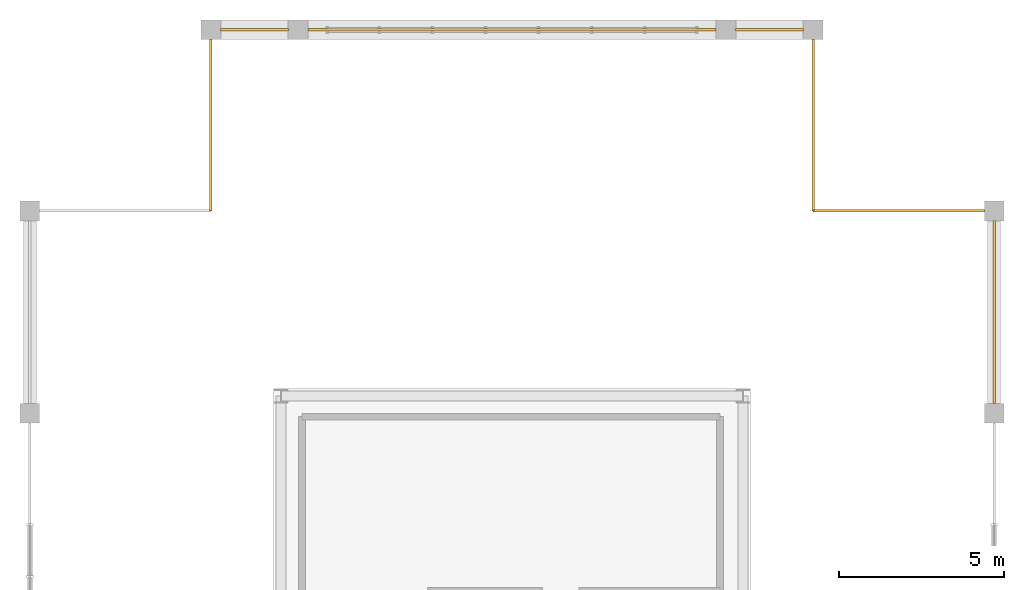
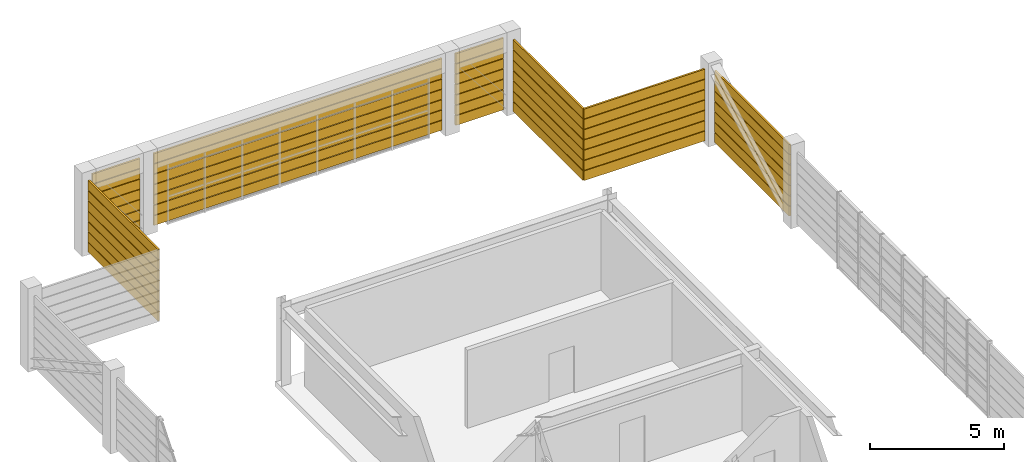
# One storey, part 21 of 21: 49 shading devices.
"""IFC4 building model written with IfcOpenShell, lengths in metres."""

from ifc_helpers import new_model, si_unit, direction, frame, origin, origin_2d, place, context, subcontext, project, spatial, rectangle, extrude, source, transform, mapped, material, material_profile, profile_set, type_object, element, save


model = new_model("IFC4")

# Units and contexts
model_context = context("Model", 3, precision=1e-05, world=origin(), true_north=direction((0.0, 1.0)))
body_context = subcontext(model_context, "Body", "Model", "MODEL_VIEW")
ifc_project = project(units=[si_unit("LENGTHUNIT", "METRE"), si_unit("AREAUNIT", "SQUARE_METRE"), si_unit("VOLUMEUNIT", "CUBIC_METRE"), si_unit("PLANEANGLEUNIT", "RADIAN"), si_unit("MASSUNIT", "GRAM", prefix="KILO")], contexts=[model_context])

# Site, building, storey
site_placement = place(None, origin())
site = spatial("IfcSite", under=ifc_project, at=site_placement, CompositionType="ELEMENT")
building_placement = place(site_placement, origin())
building = spatial("IfcBuilding", under=site, at=building_placement, Name="Saelheon Loggia Tower", CompositionType="ELEMENT")
storey_placement = place(building_placement, frame((0.0, 0.0, 267.39990234375)))
storey = spatial("IfcBuildingStorey", under=building, at=storey_placement, Name="CR5", CompositionType="ELEMENT", Elevation=267.39990234375)

# Shading devices
ifc_material = material(Name="Bronze-Anodised Aluminium 6063-T6", Category="aluminium")
ifc_material_profile = material_profile(ifc_material, rectangle(XDim=0.080078125, YDim=0.43994140625, at=origin_2d()), Name="Louvre_CrownBlade_250")
ifc_profile_set = profile_set([ifc_material_profile], Name="Bronze-Anodised Aluminium 6063-T6")
shading_device_type = type_object("IfcShadingDeviceType", Name="Louvre_CrownBlade_250", PredefinedType="AWNING", material=ifc_profile_set)
shared_shape_1 = source(origin(), body_context, "Body", "SweptSolid", [
    extrude(rectangle(XDim=0.080078125, YDim=0.43994140625, at=origin_2d()), origin(), (0.0, 0.0, 1.0), 2.06005859375),
])
for number, where, z_axis, x_axis, name in (
    (1, (46.85498046875, 47.64990234375, 0.35009765625), (-1.0, 0.0, 0.0), (0.0, -1.0, 0.0), "CR5 Crown Screen Horizontal Blade"),
    (2, (46.85498046875, 47.64990234375, 0.820068359375), (-1.0, 0.0, 0.0), (0.0, -1.0, 0.0), "CR5 Crown Screen Horizontal Blade"),
    (3, (46.85498046875, 47.64990234375, 1.2900390625), (-1.0, 0.0, 0.0), (0.0, -1.0, 0.0), "CR5 Crown Screen Horizontal Blade"),
    (4, (46.85498046875, 47.64990234375, 1.760009765625), (-1.0, 0.0, 0.0), (0.0, -1.0, 0.0), "CR5 Crown Screen Horizontal Blade"),
    (5, (46.85498046875, 47.64990234375, 2.22998046875), (-1.0, 0.0, 0.0), (0.0, -1.0, 0.0), "CR5 Crown Screen Horizontal Blade"),
    (6, (46.85498046875, 47.64990234375, 2.7001953125), (-1.0, 0.0, 0.0), (0.0, -1.0, 0.0), "CR5 Crown Screen Horizontal Blade"),
    (7, (46.85498046875, 47.64990234375, 3.170166015625), (-1.0, 0.0, 0.0), (0.0, -1.0, 0.0), "CR5 Crown Screen Horizontal Blade"),
    (8, (31.205078125, 47.64990234375, 0.35009765625), (-1.0, 0.0, 0.0), (0.0, -1.0, 0.0), "CR5 Crown Screen Horizontal Blade"),
    (9, (31.205078125, 47.64990234375, 0.820068359375), (-1.0, 0.0, 0.0), (0.0, -1.0, 0.0), "CR5 Crown Screen Horizontal Blade"),
    (10, (31.205078125, 47.64990234375, 1.2900390625), (-1.0, 0.0, 0.0), (0.0, -1.0, 0.0), "CR5 Crown Screen Horizontal Blade"),
    (11, (31.205078125, 47.64990234375, 1.760009765625), (-1.0, 0.0, 0.0), (0.0, -1.0, 0.0), "CR5 Crown Screen Horizontal Blade"),
    (12, (31.205078125, 47.64990234375, 2.22998046875), (-1.0, 0.0, 0.0), (0.0, -1.0, 0.0), "CR5 Crown Screen Horizontal Blade"),
    (13, (31.205078125, 47.64990234375, 2.7001953125), (-1.0, 0.0, 0.0), (0.0, -1.0, 0.0), "CR5 Crown Screen Horizontal Blade"),
    (14, (31.205078125, 47.64990234375, 3.170166015625), (-1.0, 0.0, 0.0), (0.0, -1.0, 0.0), "CR5 Crown Screen Horizontal Blade"),
):
    element("IfcShadingDevice", number, at=place(storey_placement, frame(where, z_axis=z_axis, x_axis=x_axis)), inside=storey, type_object=shading_device_type, Name=name, PredefinedType="AWNING", context=body_context, shape_type="MappedRepresentation", body=[
        mapped(shared_shape_1, transform((0.0, 0.0, 0.0), scale=1.0)),
    ])
shared_shape_2 = source(origin(), body_context, "Body", "SweptSolid", [
    extrude(rectangle(XDim=0.080078125, YDim=0.43994140625, at=origin_2d()), origin(), (0.0, 0.0, 1.0), 12.41015625),
])
for number, where, z_axis, x_axis, name in (
    (15, (44.205078125, 47.64990234375, 0.35009765625), (-1.0, 0.0, 0.0), (0.0, -1.0, 0.0), "CR5 Crown Screen Horizontal Blade"),
    (16, (44.205078125, 47.64990234375, 0.820068359375), (-1.0, 0.0, 0.0), (0.0, -1.0, 0.0), "CR5 Crown Screen Horizontal Blade"),
    (17, (44.205078125, 47.64990234375, 1.2900390625), (-1.0, 0.0, 0.0), (0.0, -1.0, 0.0), "CR5 Crown Screen Horizontal Blade"),
    (18, (44.205078125, 47.64990234375, 1.760009765625), (-1.0, 0.0, 0.0), (0.0, -1.0, 0.0), "CR5 Crown Screen Horizontal Blade"),
    (19, (44.205078125, 47.64990234375, 2.22998046875), (-1.0, 0.0, 0.0), (0.0, -1.0, 0.0), "CR5 Crown Screen Horizontal Blade"),
    (20, (44.205078125, 47.64990234375, 2.7001953125), (-1.0, 0.0, 0.0), (0.0, -1.0, 0.0), "CR5 Crown Screen Horizontal Blade"),
    (21, (44.205078125, 47.64990234375, 3.170166015625), (-1.0, 0.0, 0.0), (0.0, -1.0, 0.0), "CR5 Crown Screen Horizontal Blade"),
):
    element("IfcShadingDevice", number, at=place(storey_placement, frame(where, z_axis=z_axis, x_axis=x_axis)), inside=storey, type_object=shading_device_type, Name=name, PredefinedType="AWNING", context=body_context, shape_type="MappedRepresentation", body=[
        mapped(shared_shape_2, transform((0.0, 0.0, 0.0), scale=1.0)),
    ])
shared_shape_3 = source(origin(), body_context, "Body", "SweptSolid", [
    extrude(rectangle(XDim=0.080078125, YDim=0.43994140625, at=origin_2d()), origin(), (0.0, 0.0, 1.0), 5.205078125),
])
for number, where, z_axis, x_axis, name in (
    (22, (52.35498046875, 42.14990234375, 0.35009765625), (-1.0, 0.0, 0.0), (0.0, -1.0, 0.0), "CR5 Crown Screen Horizontal Blade"),
    (23, (52.35498046875, 42.14990234375, 0.820068359375), (-1.0, 0.0, 0.0), (0.0, -1.0, 0.0), "CR5 Crown Screen Horizontal Blade"),
    (24, (52.35498046875, 42.14990234375, 1.2900390625), (-1.0, 0.0, 0.0), (0.0, -1.0, 0.0), "CR5 Crown Screen Horizontal Blade"),
    (25, (52.35498046875, 42.14990234375, 1.760009765625), (-1.0, 0.0, 0.0), (0.0, -1.0, 0.0), "CR5 Crown Screen Horizontal Blade"),
    (26, (52.35498046875, 42.14990234375, 2.22998046875), (-1.0, 0.0, 0.0), (0.0, -1.0, 0.0), "CR5 Crown Screen Horizontal Blade"),
    (27, (52.35498046875, 42.14990234375, 2.7001953125), (-1.0, 0.0, 0.0), (0.0, -1.0, 0.0), "CR5 Crown Screen Horizontal Blade"),
    (28, (52.35498046875, 42.14990234375, 3.170166015625), (-1.0, 0.0, 0.0), (0.0, -1.0, 0.0), "CR5 Crown Screen Horizontal Blade"),
    (29, (47.14990234375, 42.14990234375, 0.35009765625), (0.0, 1.0, 0.0), (-1.0, 0.0, 0.0), "CR5 Crown Screen Horizontal Blade"),
    (30, (47.14990234375, 42.14990234375, 0.820068359375), (0.0, 1.0, 0.0), (-1.0, 0.0, 0.0), "CR5 Crown Screen Horizontal Blade"),
    (31, (47.14990234375, 42.14990234375, 1.2900390625), (0.0, 1.0, 0.0), (-1.0, 0.0, 0.0), "CR5 Crown Screen Horizontal Blade"),
    (32, (47.14990234375, 42.14990234375, 1.760009765625), (0.0, 1.0, 0.0), (-1.0, 0.0, 0.0), "CR5 Crown Screen Horizontal Blade"),
    (33, (47.14990234375, 42.14990234375, 2.22998046875), (0.0, 1.0, 0.0), (-1.0, 0.0, 0.0), "CR5 Crown Screen Horizontal Blade"),
    (34, (47.14990234375, 42.14990234375, 2.7001953125), (0.0, 1.0, 0.0), (-1.0, 0.0, 0.0), "CR5 Crown Screen Horizontal Blade"),
    (35, (47.14990234375, 42.14990234375, 3.170166015625), (0.0, 1.0, 0.0), (-1.0, 0.0, 0.0), "CR5 Crown Screen Horizontal Blade"),
    (36, (28.85009765625, 47.35498046875, 0.35009765625), (0.0, -1.0, 0.0), (1.0, 0.0, 0.0), "CR5 Crown Screen Horizontal Blade"),
    (37, (28.85009765625, 47.35498046875, 0.820068359375), (0.0, -1.0, 0.0), (1.0, 0.0, 0.0), "CR5 Crown Screen Horizontal Blade"),
    (38, (28.85009765625, 47.35498046875, 1.2900390625), (0.0, -1.0, 0.0), (1.0, 0.0, 0.0), "CR5 Crown Screen Horizontal Blade"),
    (39, (28.85009765625, 47.35498046875, 1.760009765625), (0.0, -1.0, 0.0), (1.0, 0.0, 0.0), "CR5 Crown Screen Horizontal Blade"),
    (40, (28.85009765625, 47.35498046875, 2.22998046875), (0.0, -1.0, 0.0), (1.0, 0.0, 0.0), "CR5 Crown Screen Horizontal Blade"),
    (41, (28.85009765625, 47.35498046875, 2.7001953125), (0.0, -1.0, 0.0), (1.0, 0.0, 0.0), "CR5 Crown Screen Horizontal Blade"),
    (42, (28.85009765625, 47.35498046875, 3.170166015625), (0.0, -1.0, 0.0), (1.0, 0.0, 0.0), "CR5 Crown Screen Horizontal Blade"),
):
    element("IfcShadingDevice", number, at=place(storey_placement, frame(where, z_axis=z_axis, x_axis=x_axis)), inside=storey, type_object=shading_device_type, Name=name, PredefinedType="AWNING", context=body_context, shape_type="MappedRepresentation", body=[
        mapped(shared_shape_3, transform((0.0, 0.0, 0.0), scale=1.0)),
    ])
shared_shape_4 = source(origin(), body_context, "Body", "SweptSolid", [
    extrude(rectangle(XDim=0.080078125, YDim=0.43994140625, at=origin_2d()), origin(), (0.0, 0.0, 1.0), 5.56005859375),
])
for number, where, z_axis, x_axis, name in (
    (43, (52.64990234375, 36.294921875, 0.35009765625), (0.0, 1.0, 0.0), (-1.0, 0.0, 0.0), "CR5 Crown Screen Horizontal Blade"),
    (44, (52.64990234375, 36.294921875, 0.820068359375), (0.0, 1.0, 0.0), (-1.0, 0.0, 0.0), "CR5 Crown Screen Horizontal Blade"),
    (45, (52.64990234375, 36.294921875, 1.2900390625), (0.0, 1.0, 0.0), (-1.0, 0.0, 0.0), "CR5 Crown Screen Horizontal Blade"),
    (46, (52.64990234375, 36.294921875, 1.760009765625), (0.0, 1.0, 0.0), (-1.0, 0.0, 0.0), "CR5 Crown Screen Horizontal Blade"),
    (47, (52.64990234375, 36.294921875, 2.22998046875), (0.0, 1.0, 0.0), (-1.0, 0.0, 0.0), "CR5 Crown Screen Horizontal Blade"),
    (48, (52.64990234375, 36.294921875, 2.7001953125), (0.0, 1.0, 0.0), (-1.0, 0.0, 0.0), "CR5 Crown Screen Horizontal Blade"),
    (49, (52.64990234375, 36.294921875, 3.170166015625), (0.0, 1.0, 0.0), (-1.0, 0.0, 0.0), "CR5 Crown Screen Horizontal Blade"),
):
    element("IfcShadingDevice", number, at=place(storey_placement, frame(where, z_axis=z_axis, x_axis=x_axis)), inside=storey, type_object=shading_device_type, Name=name, PredefinedType="AWNING", context=body_context, shape_type="MappedRepresentation", body=[
        mapped(shared_shape_4, transform((0.0, 0.0, 0.0), scale=1.0)),
    ])

save(model, "model.ifc")
